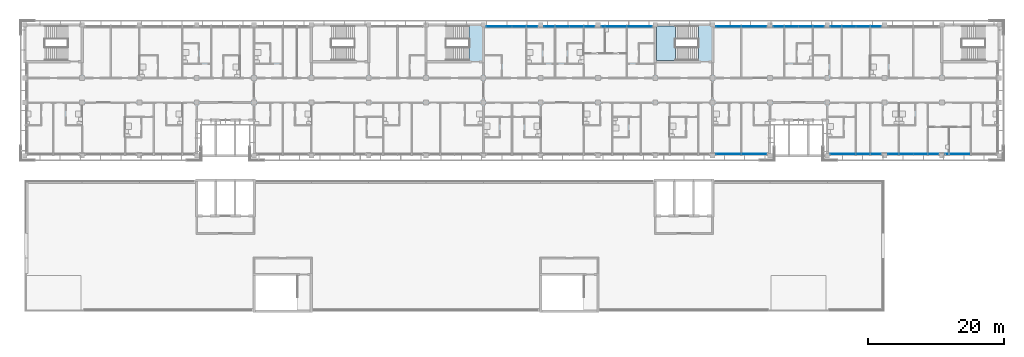
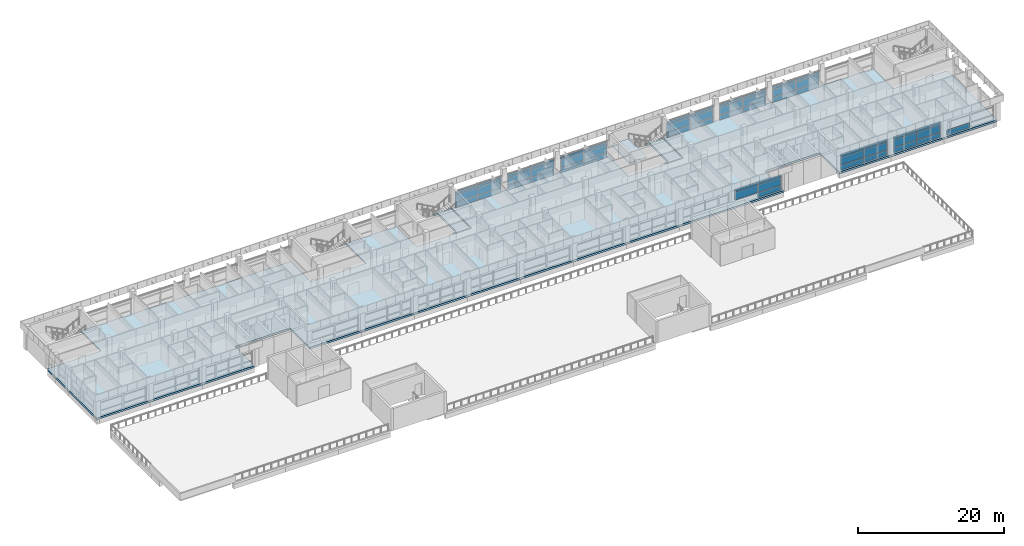
# One storey, part 16 of 46: 54 plates, 4 slabs, 11 elements without a shape of their own.
"""IFC4 building model written with IfcOpenShell, lengths in metres."""

from ifc_helpers import new_model, si_unit, direction, frame, origin, origin_2d, place, context, subcontext, project, spatial, polyline, rectangle, outline, extrude, material, layer, layer_set, type_object, element, aggregate, save


model = new_model("IFC4")

# Units and contexts
model_context = context("Model", 3, precision=1e-05, world=origin(), true_north=direction((0.0, 1.0)))
body_context = subcontext(model_context, "Body", "Model", "MODEL_VIEW")
ifc_project = project(units=[si_unit("LENGTHUNIT", "METRE"), si_unit("AREAUNIT", "SQUARE_METRE"), si_unit("VOLUMEUNIT", "CUBIC_METRE"), si_unit("PLANEANGLEUNIT", "RADIAN"), si_unit("MASSUNIT", "GRAM", prefix="KILO")], contexts=[model_context])

# Site, building, storey
site_placement = place(None, origin())
site = spatial("IfcSite", under=ifc_project, at=site_placement, CompositionType="ELEMENT")
building_placement = place(site_placement, origin())
building = spatial("IfcBuilding", under=site, at=building_placement, Name="Bougainvillea Quay General Hospital", CompositionType="ELEMENT")
storey_placement = place(building_placement, frame((0.0, 0.0, 28.800048828125)))
storey = spatial("IfcBuildingStorey", under=building, at=storey_placement, Name="L06", CompositionType="ELEMENT", Elevation=28.800048828125)

# Curtain wall, plates
ifc_material_1 = material(Name="Aluminium curtain wall system, powder-coated glazed", Category="aluminium")
curtain_wall_type = type_object("IfcCurtainWallType", Name="Unitised curtain wall CW-3730", PredefinedType="NOTDEFINED", material=ifc_material_1)
curtain_wall_1_placement = place(storey_placement, origin())
curtain_wall_1 = element("IfcCurtainWall", 1, at=curtain_wall_1_placement, inside=storey, type_object=curtain_wall_type, Name="CW-4200 01", PredefinedType="NOTDEFINED")
ifc_material_2 = material(Name="Insulated aluminium spandrel panel, white", Category="aluminium")
ifc_layer_1 = layer(ifc_material_2, 0.028076171875)
ifc_layer_set_1 = layer_set([ifc_layer_1], Name="Insulated aluminium spandrel panel, white")
plate_type_1 = type_object("IfcPlateType", Name="Insulated spandrel panel white 28", PredefinedType="CURTAIN_PANEL", material=ifc_layer_set_1)
plate_1_placement = place(storey_placement, frame((165.64990234375, 159.35009765625, 0.059814453125), z_axis=(0.0, 0.0, 1.0), x_axis=(-1.0, 0.0, 0.0)))
plate_1 = element("IfcPlate", 2, at=plate_1_placement, type_object=plate_type_1, Name="CW-4200 spandrel panel 1.1", PredefinedType="CURTAIN_PANEL", context=body_context, shape_type="SweptSolid", body=[
    extrude(rectangle(XDim=3.639892578125, YDim=0.028076171875, at=origin_2d()), origin(), (0.0, 0.0, 1.0), 0.81005859375),
])
plate_2_placement = place(storey_placement, frame((165.64990234375, 159.35009765625, 2.27978515625), z_axis=(0.0, 0.0, 1.0), x_axis=(-1.0, 0.0, 0.0)))
plate_2 = element("IfcPlate", 3, at=plate_2_placement, type_object=plate_type_1, Name="CW-4200 spandrel panel 1.3", PredefinedType="CURTAIN_PANEL", context=body_context, shape_type="SweptSolid", body=[
    extrude(rectangle(XDim=3.639892578125, YDim=0.028076171875, at=origin_2d()), origin(), (0.0, 0.0, 1.0), 0.409912109375),
])
plate_3_placement = place(storey_placement, frame((161.949951171875, 159.35009765625, 0.059814453125), z_axis=(0.0, 0.0, 1.0), x_axis=(-1.0, 0.0, 0.0)))
plate_3 = element("IfcPlate", 4, at=plate_3_placement, type_object=plate_type_1, Name="CW-4200 spandrel panel 2.1", PredefinedType="CURTAIN_PANEL", context=body_context, shape_type="SweptSolid", body=[
    extrude(rectangle(XDim=3.639892578125, YDim=0.028076171875, at=origin_2d()), origin(), (0.0, 0.0, 1.0), 0.81005859375),
])
plate_4_placement = place(storey_placement, frame((161.949951171875, 159.35009765625, 2.27978515625), z_axis=(0.0, 0.0, 1.0), x_axis=(-1.0, 0.0, 0.0)))
plate_4 = element("IfcPlate", 5, at=plate_4_placement, type_object=plate_type_1, Name="CW-4200 spandrel panel 2.3", PredefinedType="CURTAIN_PANEL", context=body_context, shape_type="SweptSolid", body=[
    extrude(rectangle(XDim=3.639892578125, YDim=0.028076171875, at=origin_2d()), origin(), (0.0, 0.0, 1.0), 0.409912109375),
])

curtain_wall_2_placement = place(storey_placement, origin())
curtain_wall_2 = element("IfcCurtainWall", 6, at=curtain_wall_2_placement, inside=storey, type_object=curtain_wall_type, Name="CW-4200 02", PredefinedType="NOTDEFINED")
plate_5_placement = place(storey_placement, frame((157.25, 159.35009765625, 0.059814453125), z_axis=(0.0, 0.0, 1.0), x_axis=(-1.0, 0.0, 0.0)))
plate_5 = element("IfcPlate", 7, at=plate_5_placement, type_object=plate_type_1, Name="CW-4200 spandrel panel 1.1", PredefinedType="CURTAIN_PANEL", context=body_context, shape_type="SweptSolid", body=[
    extrude(rectangle(XDim=3.639892578125, YDim=0.028076171875, at=origin_2d()), origin(), (0.0, 0.0, 1.0), 0.81005859375),
])
plate_6_placement = place(storey_placement, frame((157.25, 159.35009765625, 2.27978515625), z_axis=(0.0, 0.0, 1.0), x_axis=(-1.0, 0.0, 0.0)))
plate_6 = element("IfcPlate", 8, at=plate_6_placement, type_object=plate_type_1, Name="CW-4200 spandrel panel 1.3", PredefinedType="CURTAIN_PANEL", context=body_context, shape_type="SweptSolid", body=[
    extrude(rectangle(XDim=3.639892578125, YDim=0.028076171875, at=origin_2d()), origin(), (0.0, 0.0, 1.0), 0.409912109375),
])
plate_7_placement = place(storey_placement, frame((153.550048828125, 159.35009765625, 0.059814453125), z_axis=(0.0, 0.0, 1.0), x_axis=(-1.0, 0.0, 0.0)))
plate_7 = element("IfcPlate", 9, at=plate_7_placement, type_object=plate_type_1, Name="CW-4200 spandrel panel 2.1", PredefinedType="CURTAIN_PANEL", context=body_context, shape_type="SweptSolid", body=[
    extrude(rectangle(XDim=3.639892578125, YDim=0.028076171875, at=origin_2d()), origin(), (0.0, 0.0, 1.0), 0.81005859375),
])
plate_8_placement = place(storey_placement, frame((153.550048828125, 159.35009765625, 2.27978515625), z_axis=(0.0, 0.0, 1.0), x_axis=(-1.0, 0.0, 0.0)))
plate_8 = element("IfcPlate", 10, at=plate_8_placement, type_object=plate_type_1, Name="CW-4200 spandrel panel 2.3", PredefinedType="CURTAIN_PANEL", context=body_context, shape_type="SweptSolid", body=[
    extrude(rectangle(XDim=3.639892578125, YDim=0.028076171875, at=origin_2d()), origin(), (0.0, 0.0, 1.0), 0.409912109375),
])

curtain_wall_3_placement = place(storey_placement, origin())
curtain_wall_3 = element("IfcCurtainWall", 11, at=curtain_wall_3_placement, inside=storey, type_object=curtain_wall_type, Name="CW-4200 03", PredefinedType="NOTDEFINED")
plate_9_placement = place(storey_placement, frame((148.85009765625, 159.35009765625, 0.059814453125), z_axis=(0.0, 0.0, 1.0), x_axis=(-1.0, 0.0, 0.0)))
plate_9 = element("IfcPlate", 12, at=plate_9_placement, type_object=plate_type_1, Name="CW-4200 spandrel panel 1.1", PredefinedType="CURTAIN_PANEL", context=body_context, shape_type="SweptSolid", body=[
    extrude(rectangle(XDim=3.639892578125, YDim=0.028076171875, at=origin_2d()), origin(), (0.0, 0.0, 1.0), 0.81005859375),
])
plate_10_placement = place(storey_placement, frame((148.85009765625, 159.35009765625, 2.27978515625), z_axis=(0.0, 0.0, 1.0), x_axis=(-1.0, 0.0, 0.0)))
plate_10 = element("IfcPlate", 13, at=plate_10_placement, type_object=plate_type_1, Name="CW-4200 spandrel panel 1.3", PredefinedType="CURTAIN_PANEL", context=body_context, shape_type="SweptSolid", body=[
    extrude(rectangle(XDim=3.639892578125, YDim=0.028076171875, at=origin_2d()), origin(), (0.0, 0.0, 1.0), 0.409912109375),
])
plate_11_placement = place(storey_placement, frame((145.14990234375, 159.35009765625, 0.059814453125), z_axis=(0.0, 0.0, 1.0), x_axis=(-1.0, 0.0, 0.0)))
plate_11 = element("IfcPlate", 14, at=plate_11_placement, type_object=plate_type_1, Name="CW-4200 spandrel panel 2.1", PredefinedType="CURTAIN_PANEL", context=body_context, shape_type="SweptSolid", body=[
    extrude(rectangle(XDim=3.639892578125, YDim=0.028076171875, at=origin_2d()), origin(), (0.0, 0.0, 1.0), 0.81005859375),
])
plate_12_placement = place(storey_placement, frame((145.14990234375, 159.35009765625, 2.27978515625), z_axis=(0.0, 0.0, 1.0), x_axis=(-1.0, 0.0, 0.0)))
plate_12 = element("IfcPlate", 15, at=plate_12_placement, type_object=plate_type_1, Name="CW-4200 spandrel panel 2.3", PredefinedType="CURTAIN_PANEL", context=body_context, shape_type="SweptSolid", body=[
    extrude(rectangle(XDim=3.639892578125, YDim=0.028076171875, at=origin_2d()), origin(), (0.0, 0.0, 1.0), 0.409912109375),
])

curtain_wall_4_placement = place(storey_placement, origin())
curtain_wall_4 = element("IfcCurtainWall", 16, at=curtain_wall_4_placement, inside=storey, type_object=curtain_wall_type, Name="CW-4200 04", PredefinedType="NOTDEFINED")
plate_13_placement = place(storey_placement, frame((132.050048828125, 159.35009765625, 0.059814453125), z_axis=(0.0, 0.0, 1.0), x_axis=(-1.0, 0.0, 0.0)))
plate_13 = element("IfcPlate", 17, at=plate_13_placement, type_object=plate_type_1, Name="CW-4200 spandrel panel 1.1", PredefinedType="CURTAIN_PANEL", context=body_context, shape_type="SweptSolid", body=[
    extrude(rectangle(XDim=3.639892578125, YDim=0.028076171875, at=origin_2d()), origin(), (0.0, 0.0, 1.0), 0.81005859375),
])
plate_14_placement = place(storey_placement, frame((132.050048828125, 159.35009765625, 2.27978515625), z_axis=(0.0, 0.0, 1.0), x_axis=(-1.0, 0.0, 0.0)))
plate_14 = element("IfcPlate", 18, at=plate_14_placement, type_object=plate_type_1, Name="CW-4200 spandrel panel 1.3", PredefinedType="CURTAIN_PANEL", context=body_context, shape_type="SweptSolid", body=[
    extrude(rectangle(XDim=3.639892578125, YDim=0.028076171875, at=origin_2d()), origin(), (0.0, 0.0, 1.0), 0.409912109375),
])
plate_15_placement = place(storey_placement, frame((128.35009765625, 159.35009765625, 0.059814453125), z_axis=(0.0, 0.0, 1.0), x_axis=(-1.0, 0.0, 0.0)))
plate_15 = element("IfcPlate", 19, at=plate_15_placement, type_object=plate_type_1, Name="CW-4200 spandrel panel 2.1", PredefinedType="CURTAIN_PANEL", context=body_context, shape_type="SweptSolid", body=[
    extrude(rectangle(XDim=3.639892578125, YDim=0.028076171875, at=origin_2d()), origin(), (0.0, 0.0, 1.0), 0.81005859375),
])
plate_16_placement = place(storey_placement, frame((128.35009765625, 159.35009765625, 2.27978515625), z_axis=(0.0, 0.0, 1.0), x_axis=(-1.0, 0.0, 0.0)))
plate_16 = element("IfcPlate", 20, at=plate_16_placement, type_object=plate_type_1, Name="CW-4200 spandrel panel 2.3", PredefinedType="CURTAIN_PANEL", context=body_context, shape_type="SweptSolid", body=[
    extrude(rectangle(XDim=3.639892578125, YDim=0.028076171875, at=origin_2d()), origin(), (0.0, 0.0, 1.0), 0.409912109375),
])

curtain_wall_5_placement = place(storey_placement, origin())
curtain_wall_5 = element("IfcCurtainWall", 21, at=curtain_wall_5_placement, inside=storey, type_object=curtain_wall_type, Name="CW-4200 05", PredefinedType="NOTDEFINED")
plate_17_placement = place(storey_placement, frame((123.64990234375, 159.35009765625, 0.059814453125), z_axis=(0.0, 0.0, 1.0), x_axis=(-1.0, 0.0, 0.0)))
plate_17 = element("IfcPlate", 22, at=plate_17_placement, type_object=plate_type_1, Name="CW-4200 spandrel panel 1.1", PredefinedType="CURTAIN_PANEL", context=body_context, shape_type="SweptSolid", body=[
    extrude(rectangle(XDim=3.639892578125, YDim=0.028076171875, at=origin_2d()), origin(), (0.0, 0.0, 1.0), 0.81005859375),
])
plate_18_placement = place(storey_placement, frame((123.64990234375, 159.35009765625, 2.27978515625), z_axis=(0.0, 0.0, 1.0), x_axis=(-1.0, 0.0, 0.0)))
plate_18 = element("IfcPlate", 23, at=plate_18_placement, type_object=plate_type_1, Name="CW-4200 spandrel panel 1.3", PredefinedType="CURTAIN_PANEL", context=body_context, shape_type="SweptSolid", body=[
    extrude(rectangle(XDim=3.639892578125, YDim=0.028076171875, at=origin_2d()), origin(), (0.0, 0.0, 1.0), 0.409912109375),
])
plate_19_placement = place(storey_placement, frame((119.949951171875, 159.35009765625, 0.059814453125), z_axis=(0.0, 0.0, 1.0), x_axis=(-1.0, 0.0, 0.0)))
plate_19 = element("IfcPlate", 24, at=plate_19_placement, type_object=plate_type_1, Name="CW-4200 spandrel panel 2.1", PredefinedType="CURTAIN_PANEL", context=body_context, shape_type="SweptSolid", body=[
    extrude(rectangle(XDim=3.639892578125, YDim=0.028076171875, at=origin_2d()), origin(), (0.0, 0.0, 1.0), 0.81005859375),
])
plate_20_placement = place(storey_placement, frame((119.949951171875, 159.35009765625, 2.27978515625), z_axis=(0.0, 0.0, 1.0), x_axis=(-1.0, 0.0, 0.0)))
plate_20 = element("IfcPlate", 25, at=plate_20_placement, type_object=plate_type_1, Name="CW-4200 spandrel panel 2.3", PredefinedType="CURTAIN_PANEL", context=body_context, shape_type="SweptSolid", body=[
    extrude(rectangle(XDim=3.639892578125, YDim=0.028076171875, at=origin_2d()), origin(), (0.0, 0.0, 1.0), 0.409912109375),
])

curtain_wall_6_placement = place(storey_placement, origin())
curtain_wall_6 = element("IfcCurtainWall", 26, at=curtain_wall_6_placement, inside=storey, type_object=curtain_wall_type, Name="CW-4200 06", PredefinedType="NOTDEFINED")
plate_21_placement = place(storey_placement, frame((115.25, 159.35009765625, 0.059814453125), z_axis=(0.0, 0.0, 1.0), x_axis=(-1.0, 0.0, 0.0)))
plate_21 = element("IfcPlate", 27, at=plate_21_placement, type_object=plate_type_1, Name="CW-4200 spandrel panel 1.1", PredefinedType="CURTAIN_PANEL", context=body_context, shape_type="SweptSolid", body=[
    extrude(rectangle(XDim=3.639892578125, YDim=0.028076171875, at=origin_2d()), origin(), (0.0, 0.0, 1.0), 0.81005859375),
])
plate_22_placement = place(storey_placement, frame((115.25, 159.35009765625, 2.27978515625), z_axis=(0.0, 0.0, 1.0), x_axis=(-1.0, 0.0, 0.0)))
plate_22 = element("IfcPlate", 28, at=plate_22_placement, type_object=plate_type_1, Name="CW-4200 spandrel panel 1.3", PredefinedType="CURTAIN_PANEL", context=body_context, shape_type="SweptSolid", body=[
    extrude(rectangle(XDim=3.639892578125, YDim=0.028076171875, at=origin_2d()), origin(), (0.0, 0.0, 1.0), 0.409912109375),
])
plate_23_placement = place(storey_placement, frame((111.550048828125, 159.35009765625, 0.059814453125), z_axis=(0.0, 0.0, 1.0), x_axis=(-1.0, 0.0, 0.0)))
plate_23 = element("IfcPlate", 29, at=plate_23_placement, type_object=plate_type_1, Name="CW-4200 spandrel panel 2.1", PredefinedType="CURTAIN_PANEL", context=body_context, shape_type="SweptSolid", body=[
    extrude(rectangle(XDim=3.639892578125, YDim=0.028076171875, at=origin_2d()), origin(), (0.0, 0.0, 1.0), 0.81005859375),
])
plate_24_placement = place(storey_placement, frame((111.550048828125, 159.35009765625, 2.27978515625), z_axis=(0.0, 0.0, 1.0), x_axis=(-1.0, 0.0, 0.0)))
plate_24 = element("IfcPlate", 30, at=plate_24_placement, type_object=plate_type_1, Name="CW-4200 spandrel panel 2.3", PredefinedType="CURTAIN_PANEL", context=body_context, shape_type="SweptSolid", body=[
    extrude(rectangle(XDim=3.639892578125, YDim=0.028076171875, at=origin_2d()), origin(), (0.0, 0.0, 1.0), 0.409912109375),
])

curtain_wall_7_placement = place(storey_placement, origin())
curtain_wall_7 = element("IfcCurtainWall", 31, at=curtain_wall_7_placement, inside=storey, type_object=curtain_wall_type, Name="CW-4200 08", PredefinedType="NOTDEFINED")
plate_25_placement = place(storey_placement, frame((145.14990234375, 140.64990234375, 2.27978515625), z_axis=(0.0, 0.0, 1.0), x_axis=(1.0, 0.0, 0.0)))
plate_25 = element("IfcPlate", 32, at=plate_25_placement, type_object=plate_type_1, Name="CW-4200 spandrel panel 1.3", PredefinedType="CURTAIN_PANEL", context=body_context, shape_type="SweptSolid", body=[
    extrude(rectangle(XDim=3.639892578125, YDim=0.028076171875, at=origin_2d()), origin(), (0.0, 0.0, 1.0), 0.409912109375),
])
plate_26_placement = place(storey_placement, frame((148.85009765625, 140.64990234375, 0.059814453125), z_axis=(0.0, 0.0, 1.0), x_axis=(1.0, 0.0, 0.0)))
plate_26 = element("IfcPlate", 33, at=plate_26_placement, type_object=plate_type_1, Name="CW-4200 spandrel panel 2.1", PredefinedType="CURTAIN_PANEL", context=body_context, shape_type="SweptSolid", body=[
    extrude(rectangle(XDim=3.639892578125, YDim=0.028076171875, at=origin_2d()), origin(), (0.0, 0.0, 1.0), 0.81005859375),
])
plate_27_placement = place(storey_placement, frame((148.85009765625, 140.64990234375, 2.27978515625), z_axis=(0.0, 0.0, 1.0), x_axis=(1.0, 0.0, 0.0)))
plate_27 = element("IfcPlate", 34, at=plate_27_placement, type_object=plate_type_1, Name="CW-4200 spandrel panel 2.3", PredefinedType="CURTAIN_PANEL", context=body_context, shape_type="SweptSolid", body=[
    extrude(rectangle(XDim=3.639892578125, YDim=0.028076171875, at=origin_2d()), origin(), (0.0, 0.0, 1.0), 0.409912109375),
])

curtain_wall_8_placement = place(storey_placement, origin())
curtain_wall_8 = element("IfcCurtainWall", 35, at=curtain_wall_8_placement, inside=storey, type_object=curtain_wall_type, Name="CW-4200 00", PredefinedType="NOTDEFINED")
plate_28_placement = place(storey_placement, frame((161.949951171875, 140.64990234375, 0.059814453125), z_axis=(0.0, 0.0, 1.0), x_axis=(1.0, 0.0, 0.0)))
plate_28 = element("IfcPlate", 36, at=plate_28_placement, type_object=plate_type_1, Name="CW-4200 spandrel panel 1.1", PredefinedType="CURTAIN_PANEL", context=body_context, shape_type="SweptSolid", body=[
    extrude(rectangle(XDim=3.639892578125, YDim=0.028076171875, at=origin_2d()), origin(), (0.0, 0.0, 1.0), 0.81005859375),
])
plate_29_placement = place(storey_placement, frame((161.949951171875, 140.64990234375, 2.27978515625), z_axis=(0.0, 0.0, 1.0), x_axis=(1.0, 0.0, 0.0)))
plate_29 = element("IfcPlate", 37, at=plate_29_placement, type_object=plate_type_1, Name="CW-4200 spandrel panel 1.3", PredefinedType="CURTAIN_PANEL", context=body_context, shape_type="SweptSolid", body=[
    extrude(rectangle(XDim=3.639892578125, YDim=0.028076171875, at=origin_2d()), origin(), (0.0, 0.0, 1.0), 0.409912109375),
])
plate_30_placement = place(storey_placement, frame((165.64990234375, 140.64990234375, 0.059814453125), z_axis=(0.0, 0.0, 1.0), x_axis=(1.0, 0.0, 0.0)))
plate_30 = element("IfcPlate", 38, at=plate_30_placement, type_object=plate_type_1, Name="CW-4200 spandrel panel 2.1", PredefinedType="CURTAIN_PANEL", context=body_context, shape_type="SweptSolid", body=[
    extrude(rectangle(XDim=3.639892578125, YDim=0.028076171875, at=origin_2d()), origin(), (0.0, 0.0, 1.0), 0.81005859375),
])
plate_31_placement = place(storey_placement, frame((165.64990234375, 140.64990234375, 2.27978515625), z_axis=(0.0, 0.0, 1.0), x_axis=(1.0, 0.0, 0.0)))
plate_31 = element("IfcPlate", 39, at=plate_31_placement, type_object=plate_type_1, Name="CW-4200 spandrel panel 2.3", PredefinedType="CURTAIN_PANEL", context=body_context, shape_type="SweptSolid", body=[
    extrude(rectangle(XDim=3.639892578125, YDim=0.028076171875, at=origin_2d()), origin(), (0.0, 0.0, 1.0), 0.409912109375),
])

curtain_wall_9_placement = place(storey_placement, origin())
curtain_wall_9 = element("IfcCurtainWall", 40, at=curtain_wall_9_placement, inside=storey, type_object=curtain_wall_type, Name="CW-4200 01", PredefinedType="NOTDEFINED")
plate_32_placement = place(storey_placement, frame((170.35009765625, 140.64990234375, 0.059814453125), z_axis=(0.0, 0.0, 1.0), x_axis=(1.0, 0.0, 0.0)))
plate_32 = element("IfcPlate", 41, at=plate_32_placement, type_object=plate_type_1, Name="CW-4200 spandrel panel 1.1", PredefinedType="CURTAIN_PANEL", context=body_context, shape_type="SweptSolid", body=[
    extrude(rectangle(XDim=3.639892578125, YDim=0.028076171875, at=origin_2d()), origin(), (0.0, 0.0, 1.0), 0.81005859375),
])
plate_33_placement = place(storey_placement, frame((170.35009765625, 140.64990234375, 2.27978515625), z_axis=(0.0, 0.0, 1.0), x_axis=(1.0, 0.0, 0.0)))
plate_33 = element("IfcPlate", 42, at=plate_33_placement, type_object=plate_type_1, Name="CW-4200 spandrel panel 1.3", PredefinedType="CURTAIN_PANEL", context=body_context, shape_type="SweptSolid", body=[
    extrude(rectangle(XDim=3.639892578125, YDim=0.028076171875, at=origin_2d()), origin(), (0.0, 0.0, 1.0), 0.409912109375),
])
plate_34_placement = place(storey_placement, frame((174.050048828125, 140.64990234375, 0.059814453125), z_axis=(0.0, 0.0, 1.0), x_axis=(1.0, 0.0, 0.0)))
plate_34 = element("IfcPlate", 43, at=plate_34_placement, type_object=plate_type_1, Name="CW-4200 spandrel panel 2.1", PredefinedType="CURTAIN_PANEL", context=body_context, shape_type="SweptSolid", body=[
    extrude(rectangle(XDim=3.639892578125, YDim=0.028076171875, at=origin_2d()), origin(), (0.0, 0.0, 1.0), 0.81005859375),
])
plate_35_placement = place(storey_placement, frame((174.050048828125, 140.64990234375, 2.27978515625), z_axis=(0.0, 0.0, 1.0), x_axis=(1.0, 0.0, 0.0)))
plate_35 = element("IfcPlate", 44, at=plate_35_placement, type_object=plate_type_1, Name="CW-4200 spandrel panel 2.3", PredefinedType="CURTAIN_PANEL", context=body_context, shape_type="SweptSolid", body=[
    extrude(rectangle(XDim=3.639892578125, YDim=0.028076171875, at=origin_2d()), origin(), (0.0, 0.0, 1.0), 0.409912109375),
])

# Curtain wall, plate
curtain_wall_10_placement = place(storey_placement, origin())
curtain_wall_10 = element("IfcCurtainWall", 45, at=curtain_wall_10_placement, inside=storey, type_object=curtain_wall_type, Name="CW-4200 02", PredefinedType="NOTDEFINED")
plate_36_placement = place(storey_placement, frame((178.75, 140.64990234375, 0.059814453125), z_axis=(0.0, 0.0, 1.0), x_axis=(1.0, 0.0, 0.0)))
plate_36 = element("IfcPlate", 46, at=plate_36_placement, type_object=plate_type_1, Name="CW-4200 spandrel panel 1.1", PredefinedType="CURTAIN_PANEL", context=body_context, shape_type="SweptSolid", body=[
    extrude(rectangle(XDim=3.639892578125, YDim=0.028076171875, at=origin_2d()), origin(), (0.0, 0.0, 1.0), 0.81005859375),
])
aggregate(curtain_wall_10, [plate_36])

# Plate
ifc_material_3 = material(Name="Low-e laminated glass, solar control", Category="glass")
ifc_layer_2 = layer(ifc_material_3, 0.028076171875)
ifc_layer_set_2 = layer_set([ifc_layer_2], Name="Low-e laminated glass, solar control")
plate_type_2 = type_object("IfcPlateType", Name="Low-e laminated vision glass 28", PredefinedType="CURTAIN_PANEL", material=ifc_layer_set_2)
plate_37_placement = place(storey_placement, frame((165.64990234375, 159.35009765625, 0.929931640625), z_axis=(0.0, 0.0, 1.0), x_axis=(-1.0, 0.0, 0.0)))
plate_37 = element("IfcPlate", 47, at=plate_37_placement, type_object=plate_type_2, Name="CW-4200 vision glass panel 1.2", PredefinedType="CURTAIN_PANEL", context=body_context, shape_type="SweptSolid", body=[
    extrude(rectangle(XDim=3.639892578125, YDim=0.028076171875, at=origin_2d()), origin(), (0.0, 0.0, 1.0), 1.2900390625),
])

plate_38_placement = place(storey_placement, frame((161.949951171875, 159.35009765625, 0.929931640625), z_axis=(0.0, 0.0, 1.0), x_axis=(-1.0, 0.0, 0.0)))
plate_38 = element("IfcPlate", 48, at=plate_38_placement, type_object=plate_type_2, Name="CW-4200 vision glass panel 2.2", PredefinedType="CURTAIN_PANEL", context=body_context, shape_type="SweptSolid", body=[
    extrude(rectangle(XDim=3.639892578125, YDim=0.028076171875, at=origin_2d()), origin(), (0.0, 0.0, 1.0), 1.2900390625),
])

aggregate(curtain_wall_1, [plate_1, plate_37, plate_2, plate_3, plate_38, plate_4])

plate_39_placement = place(storey_placement, frame((157.25, 159.35009765625, 0.929931640625), z_axis=(0.0, 0.0, 1.0), x_axis=(-1.0, 0.0, 0.0)))
plate_39 = element("IfcPlate", 49, at=plate_39_placement, type_object=plate_type_2, Name="CW-4200 vision glass panel 1.2", PredefinedType="CURTAIN_PANEL", context=body_context, shape_type="SweptSolid", body=[
    extrude(rectangle(XDim=3.639892578125, YDim=0.028076171875, at=origin_2d()), origin(), (0.0, 0.0, 1.0), 1.2900390625),
])

plate_40_placement = place(storey_placement, frame((153.550048828125, 159.35009765625, 0.929931640625), z_axis=(0.0, 0.0, 1.0), x_axis=(-1.0, 0.0, 0.0)))
plate_40 = element("IfcPlate", 50, at=plate_40_placement, type_object=plate_type_2, Name="CW-4200 vision glass panel 2.2", PredefinedType="CURTAIN_PANEL", context=body_context, shape_type="SweptSolid", body=[
    extrude(rectangle(XDim=3.639892578125, YDim=0.028076171875, at=origin_2d()), origin(), (0.0, 0.0, 1.0), 1.2900390625),
])

aggregate(curtain_wall_2, [plate_5, plate_39, plate_6, plate_7, plate_40, plate_8])

plate_41_placement = place(storey_placement, frame((148.85009765625, 159.35009765625, 0.929931640625), z_axis=(0.0, 0.0, 1.0), x_axis=(-1.0, 0.0, 0.0)))
plate_41 = element("IfcPlate", 51, at=plate_41_placement, type_object=plate_type_2, Name="CW-4200 vision glass panel 1.2", PredefinedType="CURTAIN_PANEL", context=body_context, shape_type="SweptSolid", body=[
    extrude(rectangle(XDim=3.639892578125, YDim=0.028076171875, at=origin_2d()), origin(), (0.0, 0.0, 1.0), 1.2900390625),
])

plate_42_placement = place(storey_placement, frame((145.14990234375, 159.35009765625, 0.929931640625), z_axis=(0.0, 0.0, 1.0), x_axis=(-1.0, 0.0, 0.0)))
plate_42 = element("IfcPlate", 52, at=plate_42_placement, type_object=plate_type_2, Name="CW-4200 vision glass panel 2.2", PredefinedType="CURTAIN_PANEL", context=body_context, shape_type="SweptSolid", body=[
    extrude(rectangle(XDim=3.639892578125, YDim=0.028076171875, at=origin_2d()), origin(), (0.0, 0.0, 1.0), 1.2900390625),
])

aggregate(curtain_wall_3, [plate_9, plate_41, plate_10, plate_11, plate_42, plate_12])

plate_43_placement = place(storey_placement, frame((132.050048828125, 159.35009765625, 0.929931640625), z_axis=(0.0, 0.0, 1.0), x_axis=(-1.0, 0.0, 0.0)))
plate_43 = element("IfcPlate", 53, at=plate_43_placement, type_object=plate_type_2, Name="CW-4200 vision glass panel 1.2", PredefinedType="CURTAIN_PANEL", context=body_context, shape_type="SweptSolid", body=[
    extrude(rectangle(XDim=3.639892578125, YDim=0.028076171875, at=origin_2d()), origin(), (0.0, 0.0, 1.0), 1.2900390625),
])

plate_44_placement = place(storey_placement, frame((128.35009765625, 159.35009765625, 0.929931640625), z_axis=(0.0, 0.0, 1.0), x_axis=(-1.0, 0.0, 0.0)))
plate_44 = element("IfcPlate", 54, at=plate_44_placement, type_object=plate_type_2, Name="CW-4200 vision glass panel 2.2", PredefinedType="CURTAIN_PANEL", context=body_context, shape_type="SweptSolid", body=[
    extrude(rectangle(XDim=3.639892578125, YDim=0.028076171875, at=origin_2d()), origin(), (0.0, 0.0, 1.0), 1.2900390625),
])

aggregate(curtain_wall_4, [plate_13, plate_43, plate_14, plate_15, plate_44, plate_16])

plate_45_placement = place(storey_placement, frame((123.64990234375, 159.35009765625, 0.929931640625), z_axis=(0.0, 0.0, 1.0), x_axis=(-1.0, 0.0, 0.0)))
plate_45 = element("IfcPlate", 55, at=plate_45_placement, type_object=plate_type_2, Name="CW-4200 vision glass panel 1.2", PredefinedType="CURTAIN_PANEL", context=body_context, shape_type="SweptSolid", body=[
    extrude(rectangle(XDim=3.639892578125, YDim=0.028076171875, at=origin_2d()), origin(), (0.0, 0.0, 1.0), 1.2900390625),
])

plate_46_placement = place(storey_placement, frame((119.949951171875, 159.35009765625, 0.929931640625), z_axis=(0.0, 0.0, 1.0), x_axis=(-1.0, 0.0, 0.0)))
plate_46 = element("IfcPlate", 56, at=plate_46_placement, type_object=plate_type_2, Name="CW-4200 vision glass panel 2.2", PredefinedType="CURTAIN_PANEL", context=body_context, shape_type="SweptSolid", body=[
    extrude(rectangle(XDim=3.639892578125, YDim=0.028076171875, at=origin_2d()), origin(), (0.0, 0.0, 1.0), 1.2900390625),
])

aggregate(curtain_wall_5, [plate_17, plate_45, plate_18, plate_19, plate_46, plate_20])

plate_47_placement = place(storey_placement, frame((115.25, 159.35009765625, 0.929931640625), z_axis=(0.0, 0.0, 1.0), x_axis=(-1.0, 0.0, 0.0)))
plate_47 = element("IfcPlate", 57, at=plate_47_placement, type_object=plate_type_2, Name="CW-4200 vision glass panel 1.2", PredefinedType="CURTAIN_PANEL", context=body_context, shape_type="SweptSolid", body=[
    extrude(rectangle(XDim=3.639892578125, YDim=0.028076171875, at=origin_2d()), origin(), (0.0, 0.0, 1.0), 1.2900390625),
])

plate_48_placement = place(storey_placement, frame((111.550048828125, 159.35009765625, 0.929931640625), z_axis=(0.0, 0.0, 1.0), x_axis=(-1.0, 0.0, 0.0)))
plate_48 = element("IfcPlate", 58, at=plate_48_placement, type_object=plate_type_2, Name="CW-4200 vision glass panel 2.2", PredefinedType="CURTAIN_PANEL", context=body_context, shape_type="SweptSolid", body=[
    extrude(rectangle(XDim=3.639892578125, YDim=0.028076171875, at=origin_2d()), origin(), (0.0, 0.0, 1.0), 1.2900390625),
])

aggregate(curtain_wall_6, [plate_21, plate_47, plate_22, plate_23, plate_48, plate_24])

plate_49_placement = place(storey_placement, frame((145.14990234375, 140.64990234375, 0.929931640625), z_axis=(0.0, 0.0, 1.0), x_axis=(1.0, 0.0, 0.0)))
plate_49 = element("IfcPlate", 59, at=plate_49_placement, type_object=plate_type_2, Name="CW-4200 vision glass panel 1.2", PredefinedType="CURTAIN_PANEL", context=body_context, shape_type="SweptSolid", body=[
    extrude(rectangle(XDim=3.639892578125, YDim=0.028076171875, at=origin_2d()), origin(), (0.0, 0.0, 1.0), 1.2900390625),
])

plate_50_placement = place(storey_placement, frame((148.85009765625, 140.64990234375, 0.929931640625), z_axis=(0.0, 0.0, 1.0), x_axis=(1.0, 0.0, 0.0)))
plate_50 = element("IfcPlate", 60, at=plate_50_placement, type_object=plate_type_2, Name="CW-4200 vision glass panel 2.2", PredefinedType="CURTAIN_PANEL", context=body_context, shape_type="SweptSolid", body=[
    extrude(rectangle(XDim=3.639892578125, YDim=0.028076171875, at=origin_2d()), origin(), (0.0, 0.0, 1.0), 1.2900390625),
])

aggregate(curtain_wall_7, [plate_49, plate_25, plate_26, plate_50, plate_27])

plate_51_placement = place(storey_placement, frame((161.949951171875, 140.64990234375, 0.929931640625), z_axis=(0.0, 0.0, 1.0), x_axis=(1.0, 0.0, 0.0)))
plate_51 = element("IfcPlate", 61, at=plate_51_placement, type_object=plate_type_2, Name="CW-4200 vision glass panel 1.2", PredefinedType="CURTAIN_PANEL", context=body_context, shape_type="SweptSolid", body=[
    extrude(rectangle(XDim=3.639892578125, YDim=0.028076171875, at=origin_2d()), origin(), (0.0, 0.0, 1.0), 1.2900390625),
])

plate_52_placement = place(storey_placement, frame((165.64990234375, 140.64990234375, 0.929931640625), z_axis=(0.0, 0.0, 1.0), x_axis=(1.0, 0.0, 0.0)))
plate_52 = element("IfcPlate", 62, at=plate_52_placement, type_object=plate_type_2, Name="CW-4200 vision glass panel 2.2", PredefinedType="CURTAIN_PANEL", context=body_context, shape_type="SweptSolid", body=[
    extrude(rectangle(XDim=3.639892578125, YDim=0.028076171875, at=origin_2d()), origin(), (0.0, 0.0, 1.0), 1.2900390625),
])

aggregate(curtain_wall_8, [plate_28, plate_51, plate_29, plate_30, plate_52, plate_31])

plate_53_placement = place(storey_placement, frame((170.35009765625, 140.64990234375, 0.929931640625), z_axis=(0.0, 0.0, 1.0), x_axis=(1.0, 0.0, 0.0)))
plate_53 = element("IfcPlate", 63, at=plate_53_placement, type_object=plate_type_2, Name="CW-4200 vision glass panel 1.2", PredefinedType="CURTAIN_PANEL", context=body_context, shape_type="SweptSolid", body=[
    extrude(rectangle(XDim=3.639892578125, YDim=0.028076171875, at=origin_2d()), origin(), (0.0, 0.0, 1.0), 1.2900390625),
])

plate_54_placement = place(storey_placement, frame((174.050048828125, 140.64990234375, 0.929931640625), z_axis=(0.0, 0.0, 1.0), x_axis=(1.0, 0.0, 0.0)))
plate_54 = element("IfcPlate", 64, at=plate_54_placement, type_object=plate_type_2, Name="CW-4200 vision glass panel 2.2", PredefinedType="CURTAIN_PANEL", context=body_context, shape_type="SweptSolid", body=[
    extrude(rectangle(XDim=3.639892578125, YDim=0.028076171875, at=origin_2d()), origin(), (0.0, 0.0, 1.0), 1.2900390625),
])

aggregate(curtain_wall_9, [plate_32, plate_53, plate_33, plate_34, plate_54, plate_35])

# Slabs
ifc_material_4 = material(Name="Concrete C35", Category="concrete")
ifc_layer_3 = layer(ifc_material_4, 0.300048828125)
ifc_layer_set_3 = layer_set([ifc_layer_3], Name="Concrete C35")
slab_type_1 = type_object("IfcSlabType", Name="RC FLAT SLAB 300 C35", PredefinedType="FLOOR", material=ifc_layer_set_3)
slab_1_placement = place(storey_placement, frame((0.0, 0.0, -0.300048828125)))
element("IfcSlab", 65, at=slab_1_placement, inside=storey, type_object=slab_type_1, Name="Slab S3 L06", PredefinedType="FLOOR", context=body_context, shape_type="SweptSolid", body=[
    extrude(outline(polyline([(184.800048828125, 140.39990234375), (184.800048828125, 154.02490234375), (184.625, 154.02490234375), (176.574951171875, 154.02490234375), (176.22509765625, 154.02490234375), (176.22509765625, 159.425048828125), (176.22509765625, 159.60009765625), (142.97509765625, 159.60009765625), (142.97509765625, 154.02490234375), (142.625, 154.02490234375), (134.574951171875, 154.02490234375), (134.22509765625, 154.02490234375), (134.22509765625, 159.425048828125), (134.22509765625, 159.60009765625), (109.375, 159.60009765625), (109.375, 154.02490234375), (109.02490234375, 154.02490234375), (100.97509765625, 154.02490234375), (100.625, 154.02490234375), (100.625, 159.425048828125), (100.625, 159.60009765625), (92.574951171875, 159.60009765625), (92.574951171875, 154.02490234375), (92.22509765625, 154.02490234375), (84.175048828125, 154.02490234375), (83.824951171875, 154.02490234375), (83.824951171875, 159.425048828125), (83.824951171875, 159.60009765625), (50.574951171875, 159.60009765625), (50.574951171875, 154.02490234375), (50.22509765625, 154.02490234375), (42.175048828125, 154.02490234375), (42.0, 154.02490234375), (42.0, 140.39990234375), (67.02490234375, 140.39990234375), (67.02490234375, 145.425048828125), (67.02490234375, 145.77490234375), (70.0, 145.77490234375), (72.800048828125, 145.77490234375), (75.425048828125, 145.77490234375), (75.77490234375, 145.77490234375), (75.77490234375, 140.39990234375), (151.02490234375, 140.39990234375), (151.02490234375, 145.425048828125), (151.02490234375, 145.77490234375), (154.0, 145.77490234375), (156.800048828125, 145.77490234375), (159.425048828125, 145.77490234375), (159.77490234375, 145.77490234375), (159.77490234375, 140.39990234375), (184.800048828125, 140.39990234375)])), origin(), (0.0, 0.0, 1.0), 0.300048828125),
])
slab_2_placement = place(storey_placement, frame((0.0, 0.0, -0.300048828125)))
element("IfcSlab", 66, at=slab_2_placement, inside=storey, type_object=slab_type_1, Name="Stair landing floor ST-A3 L06", PredefinedType="FLOOR", context=body_context, shape_type="SweptSolid", body=[
    extrude(outline(polyline([(140.102783203125, 159.48388671875), (140.111572265625, 159.5419921875), (140.1259765625, 159.599609375), (142.800048828125, 159.60009765625), (142.800048828125, 154.199951171875), (140.1259765625, 154.200439453125), (140.111572265625, 154.2578125), (140.102783203125, 154.316162109375), (140.10009765625, 154.3740234375), (140.70068359375, 154.374267578125), (140.70068359375, 159.425537109375), (140.10009765625, 159.426025390625), (140.102783203125, 159.48388671875)])), origin(), (0.0, 0.0, 1.0), 0.300048828125),
])
slab_3_placement = place(storey_placement, frame((0.0, 0.0, -0.300048828125)))
element("IfcSlab", 67, at=slab_3_placement, inside=storey, type_object=slab_type_1, Name="Stair landing floor ST-A5 L06", PredefinedType="FLOOR", context=body_context, shape_type="SweptSolid", body=[
    extrude(outline(polyline([(106.5029296875, 159.48388671875), (106.511474609375, 159.5419921875), (106.52587890625, 159.599609375), (109.199951171875, 159.60009765625), (109.199951171875, 154.199951171875), (106.52587890625, 154.200439453125), (106.511474609375, 154.2578125), (106.5029296875, 154.316162109375), (106.5, 154.3740234375), (107.1005859375, 154.374267578125), (107.1005859375, 159.425537109375), (106.5, 159.426025390625), (106.5029296875, 159.48388671875)])), origin(), (0.0, 0.0, 1.0), 0.300048828125),
])

# Stair, slab
stair_type = type_object("IfcStairType", Name="Stair half-turn 1925 wide", PredefinedType="HALF_TURN_STAIR", material=ifc_material_4)
stair_placement = place(storey_placement, origin())
stair = element("IfcStair", 68, at=stair_placement, inside=storey, type_object=stair_type, Name="L06 stair ST-A3", PredefinedType="HALF_TURN_STAIR")
ifc_layer_4 = layer(ifc_material_4, 0.199951171875)
ifc_layer_set_4 = layer_set([ifc_layer_4], Name="Concrete C35")
slab_type_2 = type_object("IfcSlabType", Name="Stair landing 200", PredefinedType="LANDING", material=ifc_layer_set_4)
slab_4_placement = place(storey_placement, frame((0.0, 0.0, 1.75)))
slab_4 = element("IfcSlab", 69, at=slab_4_placement, type_object=slab_type_2, Name="ST-A3 landing 1", PredefinedType="LANDING", context=body_context, shape_type="SweptSolid", body=[
    extrude(outline(polyline([(137.340087890625, 159.425048828125), (134.574951171875, 159.425048828125), (134.574951171875, 154.375), (137.340087890625, 154.375), (137.340087890625, 159.425048828125)])), origin(), (0.0, 0.0, 1.0), 0.199951171875),
])
aggregate(stair, [slab_4])

save(model, "model.ifc")
